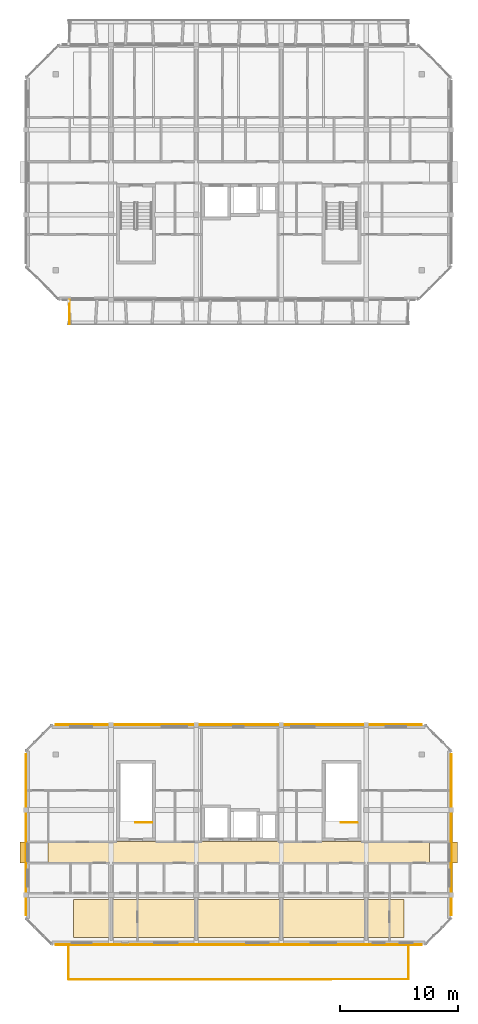
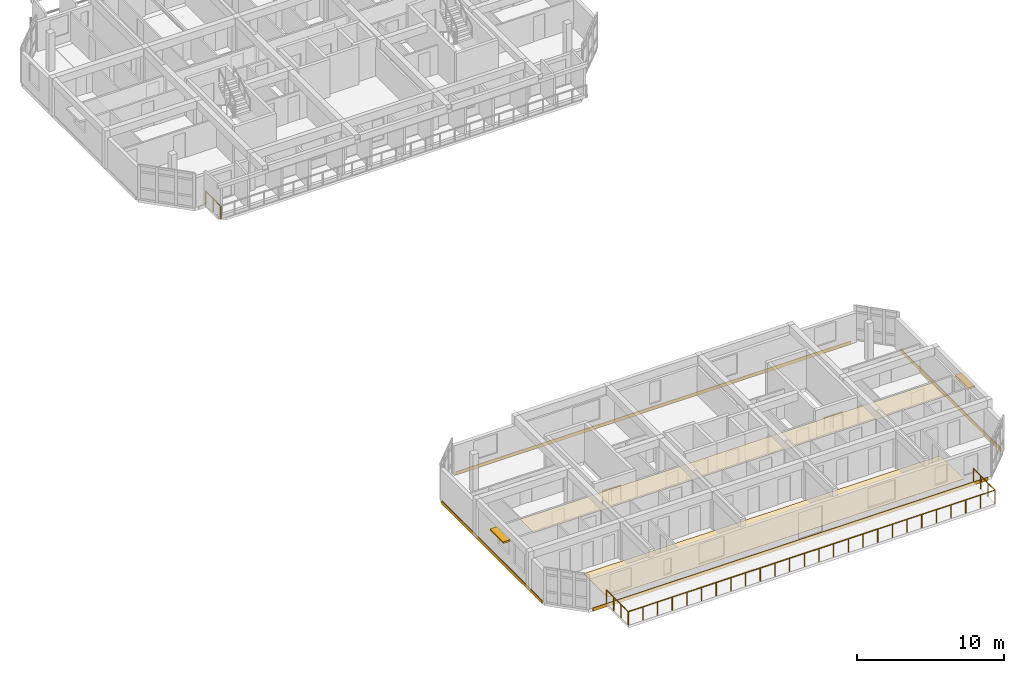
# One storey, part 15 of 19: 6 coverings, 4 railings, 2 shading devices.
"""IFC4 building model written with IfcOpenShell, lengths in metres."""

from ifc_helpers import new_model, si_unit, direction, frame, origin, origin_2d, place, context, subcontext, project, spatial, polyline, rectangle, circle, outline, extrude, material, layer, layer_set, type_object, element, save


model = new_model("IFC4")

# Units and contexts
model_context = context("Model", 3, precision=1e-05, world=origin(), true_north=direction((0.0, 1.0)))
body_context = subcontext(model_context, "Body", "Model", "MODEL_VIEW")
ifc_project = project(units=[si_unit("LENGTHUNIT", "METRE"), si_unit("AREAUNIT", "SQUARE_METRE"), si_unit("VOLUMEUNIT", "CUBIC_METRE"), si_unit("PLANEANGLEUNIT", "RADIAN"), si_unit("MASSUNIT", "GRAM", prefix="KILO")], contexts=[model_context])

# Site, building, storey
site_placement = place(None, origin())
site = spatial("IfcSite", under=ifc_project, at=site_placement, CompositionType="ELEMENT")
building_placement = place(site_placement, origin())
building = spatial("IfcBuilding", under=site, at=building_placement, Name="Ochrevale Crest", CompositionType="ELEMENT")
storey_placement = place(building_placement, frame((0.0, 0.0, 43.35009765625)))
storey = spatial("IfcBuildingStorey", under=building, at=storey_placement, Name="L13", CompositionType="ELEMENT", Elevation=43.35009765625)

# Coverings
ifc_material_1 = material(Name="Gypsum plasterboard", Category="gypsum")
ifc_layer_1 = layer(ifc_material_1, 0.02490234375)
ifc_layer_set_1 = layer_set([ifc_layer_1], Name="Gypsum plasterboard")
covering_type_1 = type_object("IfcCoveringType", Name="COV-CEIL-GYP", PredefinedType="CEILING", material=ifc_layer_set_1)
covering_1_placement = place(storey_placement, frame((0.0, 0.0, 2.27978515625)))
element("IfcCovering", 1, at=covering_1_placement, inside=storey, type_object=covering_type_1, Name="Block C L13 acoustic corridor ceiling", PredefinedType="CEILING", context=body_context, shape_type="SweptSolid", body=[
    extrude(outline(polyline([(131.449951171875, 24.260009765625), (163.75, 24.260009765625), (163.75, 26.139892578125), (131.449951171875, 26.139892578125), (131.449951171875, 24.260009765625)])), origin(), (0.0, 0.0, 1.0), 0.025146484375),
])
ifc_material_2 = material(Name="Glazed terracotta rainscreen tile", Category="masonry")
ifc_layer_2 = layer(ifc_material_2, 0.048095703125)
ifc_layer_set_2 = layer_set([ifc_layer_2], Name="Glazed terracotta rainscreen tile")
covering_type_2 = type_object("IfcCoveringType", Name="COV-CLAD-TER", PredefinedType="CLADDING", material=ifc_layer_set_2)
covering_2_placement = place(storey_placement, frame((147.60009765625, 17.385498046875, -0.26025390625), z_axis=(0.0, 0.0, 1.0), x_axis=(1.0, 0.0, 0.0)))
element("IfcCovering", 2, at=covering_2_placement, inside=storey, type_object=covering_type_2, Name="Block C L13 terracotta slab-edge spandrel cladding", PredefinedType="CLADDING", context=body_context, shape_type="SweptSolid", body=[
    extrude(rectangle(XDim=31.0, YDim=0.06005859375, at=origin_2d()), origin(), (0.0, 0.0, 1.0), 0.280029296875),
])
covering_3_placement = place(storey_placement, frame((165.614501953125, 26.699951171875, -0.26025390625), z_axis=(0.0, 0.0, 1.0), x_axis=(0.0, 1.0, 0.0)))
element("IfcCovering", 3, at=covering_3_placement, inside=storey, type_object=covering_type_2, Name="Block C L13 terracotta slab-edge spandrel cladding", PredefinedType="CLADDING", context=body_context, shape_type="SweptSolid", body=[
    extrude(rectangle(XDim=13.60009765625, YDim=0.06005859375, at=origin_2d()), origin(), (0.0, 0.0, 1.0), 0.280029296875),
])
covering_4_placement = place(storey_placement, frame((147.60009765625, 36.014404296875, -0.26025390625), z_axis=(0.0, 0.0, 1.0), x_axis=(-1.0, 0.0, 0.0)))
element("IfcCovering", 4, at=covering_4_placement, inside=storey, type_object=covering_type_2, Name="Block C L13 terracotta slab-edge spandrel cladding", PredefinedType="CLADDING", context=body_context, shape_type="SweptSolid", body=[
    extrude(rectangle(XDim=31.0, YDim=0.06005859375, at=origin_2d()), origin(), (0.0, 0.0, 1.0), 0.280029296875),
])
covering_5_placement = place(storey_placement, frame((129.58544921875, 26.699951171875, -0.26025390625), z_axis=(0.0, 0.0, 1.0), x_axis=(0.0, -1.0, 0.0)))
element("IfcCovering", 5, at=covering_5_placement, inside=storey, type_object=covering_type_2, Name="Block C L13 terracotta slab-edge spandrel cladding", PredefinedType="CLADDING", context=body_context, shape_type="SweptSolid", body=[
    extrude(rectangle(XDim=13.60009765625, YDim=0.06005859375, at=origin_2d()), origin(), (0.0, 0.0, 1.0), 0.280029296875),
])
ifc_material_3 = material(Name="Engineered spotted-gum hardwood flooring", Category="wood")
ifc_layer_3 = layer(ifc_material_3, 0.02001953125)
ifc_layer_set_3 = layer_set([ifc_layer_3], Name="Engineered spotted-gum hardwood flooring")
covering_type_3 = type_object("IfcCoveringType", Name="COV-FLR-TIM", PredefinedType="FLOORING", material=ifc_layer_set_3)
covering_6_placement = place(storey_placement, origin())
element("IfcCovering", 6, at=covering_6_placement, inside=storey, type_object=covering_type_3, Name="Block C L13 spotted-gum apartment flooring", PredefinedType="FLOORING", context=body_context, shape_type="SweptSolid", body=[
    extrude(outline(polyline([(133.60009765625, 18.0), (161.60009765625, 18.0), (161.60009765625, 21.199951171875), (133.60009765625, 21.199951171875), (133.60009765625, 18.0)])), origin(), (0.0, 0.0, 1.0), 0.02001953125),
])

# Railings
ifc_material_4 = material(Name="Galvanised steel", Category="steel")
railing_type_1 = type_object("IfcRailingType", Name="RL-BAL-1100", PredefinedType="BALUSTRADE", material=ifc_material_4)
railing_1_placement = place(storey_placement, frame((133.260009765625, 72.0, 0.0)))
element("IfcRailing", 7, at=railing_1_placement, inside=storey, type_object=railing_type_1, Name="Block D L13 S-W balcony side guard", PredefinedType="BALUSTRADE", context=body_context, shape_type="SweptSolid", body=[
    extrude(circle(Radius=0.02392578125, at=origin_2d()), frame((0.0, 0.0, 1.0859375), z_axis=(0.0, -1.0, 0.0), x_axis=(1.0, 0.0, 0.0)), (0.0, 0.0, 1.0), 2.0400390625),
    extrude(circle(Radius=0.02099609375, at=origin_2d()), origin(), (0.0, 0.0, 1.0), 1.06201171875),
    extrude(circle(Radius=0.02099609375, at=origin_2d()), frame((0.0, -1.02001953125, 0.0)), (0.0, 0.0, 1.0), 1.06201171875),
    extrude(circle(Radius=0.02099609375, at=origin_2d()), frame((0.0, -2.0400390625, 0.0)), (0.0, 0.0, 1.0), 1.06201171875),
])
railing_type_2 = type_object("IfcRailingType", Name="RL-ST-GUARD", PredefinedType="BALUSTRADE", material=ifc_material_4)
for number, where, name in (
    (8, (140.25, 27.72509765625, 0.0), "L13 ST-C1 top well guard 1"),
    (9, (157.64990234375, 27.72509765625, 0.0), "L13 ST-C2 top well guard 1"),
):
    element("IfcRailing", number, at=place(storey_placement, frame(where)), inside=storey, type_object=railing_type_2, Name=name, PredefinedType="BALUSTRADE", context=body_context, shape_type="SweptSolid", body=[
        extrude(circle(Radius=0.02392578125, at=origin_2d()), frame((0.0, 0.0, 1.076171875), z_axis=(-1.0, 0.0, 0.0), x_axis=(0.0, -1.0, 0.0)), (0.0, 0.0, 1.0), 1.39990234375),
        extrude(circle(Radius=0.02099609375, at=origin_2d()), origin(), (0.0, 0.0, 1.0), 1.052001953125),
        extrude(circle(Radius=0.02099609375, at=origin_2d()), frame((-0.699951171875, 0.0, 0.0)), (0.0, 0.0, 1.0), 1.052001953125),
        extrude(circle(Radius=0.02099609375, at=origin_2d()), frame((-1.39990234375, 0.0, 0.0)), (0.0, 0.0, 1.0), 1.052001953125),
    ])
railing_type_3 = type_object("IfcRailingType", Name="RL-TER-1120", PredefinedType="BALUSTRADE", material=ifc_material_4)
railing_2_placement = place(storey_placement, frame((133.199951171875, 17.39990234375, 0.0)))
element("IfcRailing", 10, at=railing_2_placement, inside=storey, type_object=railing_type_3, Name="Block C L13 stepped roof-terrace perimeter balustrade", PredefinedType="BALUSTRADE", context=body_context, shape_type="SweptSolid", body=[
    extrude(circle(Radius=0.02392578125, at=origin_2d()), frame((0.0, 0.0, 1.09619140625), z_axis=(0.0, -1.0, 0.0), x_axis=(1.0, 0.0, 0.0)), (0.0, 0.0, 1.0), 2.93994140625),
    extrude(circle(Radius=0.02392578125, at=origin_2d()), frame((0.0, -2.93994140625, 1.09619140625), z_axis=(1.0, 0.0, 0.0), x_axis=(0.0, 1.0, 0.0)), (0.0, 0.0, 1.0), 28.800048828125),
    extrude(circle(Radius=0.02392578125, at=origin_2d()), frame((28.800048828125, -2.93994140625, 1.09619140625), z_axis=(0.0, 1.0, 0.0), x_axis=(-1.0, 0.0, 0.0)), (0.0, 0.0, 1.0), 2.93994140625),
    extrude(circle(Radius=0.02099609375, at=origin_2d()), origin(), (0.0, 0.0, 1.0), 1.072021484375),
    extrude(circle(Radius=0.02099609375, at=origin_2d()), frame((0.0, -0.97998046875, 0.0)), (0.0, 0.0, 1.0), 1.072021484375),
    extrude(circle(Radius=0.02099609375, at=origin_2d()), frame((0.0, -1.9599609375, 0.0)), (0.0, 0.0, 1.0), 1.072021484375),
    extrude(circle(Radius=0.02099609375, at=origin_2d()), frame((0.0, -2.93994140625, 0.0)), (0.0, 0.0, 1.0), 1.072021484375),
    extrude(circle(Radius=0.02099609375, at=origin_2d()), frame((1.152099609375, -2.93994140625, 0.0)), (0.0, 0.0, 1.0), 1.072021484375),
    extrude(circle(Radius=0.02099609375, at=origin_2d()), frame((2.303955078125, -2.93994140625, 0.0)), (0.0, 0.0, 1.0), 1.072021484375),
    extrude(circle(Radius=0.02099609375, at=origin_2d()), frame((3.4560546875, -2.93994140625, 0.0)), (0.0, 0.0, 1.0), 1.072021484375),
    extrude(circle(Radius=0.02099609375, at=origin_2d()), frame((4.60791015625, -2.93994140625, 0.0)), (0.0, 0.0, 1.0), 1.072021484375),
    extrude(circle(Radius=0.02099609375, at=origin_2d()), frame((5.760009765625, -2.93994140625, 0.0)), (0.0, 0.0, 1.0), 1.072021484375),
    extrude(circle(Radius=0.02099609375, at=origin_2d()), frame((6.912109375, -2.93994140625, 0.0)), (0.0, 0.0, 1.0), 1.072021484375),
    extrude(circle(Radius=0.02099609375, at=origin_2d()), frame((8.06396484375, -2.93994140625, 0.0)), (0.0, 0.0, 1.0), 1.072021484375),
    extrude(circle(Radius=0.02099609375, at=origin_2d()), frame((9.216064453125, -2.93994140625, 0.0)), (0.0, 0.0, 1.0), 1.072021484375),
    extrude(circle(Radius=0.02099609375, at=origin_2d()), frame((10.367919921875, -2.93994140625, 0.0)), (0.0, 0.0, 1.0), 1.072021484375),
    extrude(circle(Radius=0.02099609375, at=origin_2d()), frame((11.52001953125, -2.93994140625, 0.0)), (0.0, 0.0, 1.0), 1.072021484375),
    extrude(circle(Radius=0.02099609375, at=origin_2d()), frame((12.672119140625, -2.93994140625, 0.0)), (0.0, 0.0, 1.0), 1.072021484375),
    extrude(circle(Radius=0.02099609375, at=origin_2d()), frame((13.823974609375, -2.93994140625, 0.0)), (0.0, 0.0, 1.0), 1.072021484375),
    extrude(circle(Radius=0.02099609375, at=origin_2d()), frame((14.97607421875, -2.93994140625, 0.0)), (0.0, 0.0, 1.0), 1.072021484375),
    extrude(circle(Radius=0.02099609375, at=origin_2d()), frame((16.1279296875, -2.93994140625, 0.0)), (0.0, 0.0, 1.0), 1.072021484375),
    extrude(circle(Radius=0.02099609375, at=origin_2d()), frame((17.280029296875, -2.93994140625, 0.0)), (0.0, 0.0, 1.0), 1.072021484375),
    extrude(circle(Radius=0.02099609375, at=origin_2d()), frame((18.43212890625, -2.93994140625, 0.0)), (0.0, 0.0, 1.0), 1.072021484375),
    extrude(circle(Radius=0.02099609375, at=origin_2d()), frame((19.583984375, -2.93994140625, 0.0)), (0.0, 0.0, 1.0), 1.072021484375),
    extrude(circle(Radius=0.02099609375, at=origin_2d()), frame((20.736083984375, -2.93994140625, 0.0)), (0.0, 0.0, 1.0), 1.072021484375),
    extrude(circle(Radius=0.02099609375, at=origin_2d()), frame((21.887939453125, -2.93994140625, 0.0)), (0.0, 0.0, 1.0), 1.072021484375),
    extrude(circle(Radius=0.02099609375, at=origin_2d()), frame((23.0400390625, -2.93994140625, 0.0)), (0.0, 0.0, 1.0), 1.072021484375),
    extrude(circle(Radius=0.02099609375, at=origin_2d()), frame((24.192138671875, -2.93994140625, 0.0)), (0.0, 0.0, 1.0), 1.072021484375),
    extrude(circle(Radius=0.02099609375, at=origin_2d()), frame((25.343994140625, -2.93994140625, 0.0)), (0.0, 0.0, 1.0), 1.072021484375),
    extrude(circle(Radius=0.02099609375, at=origin_2d()), frame((26.49609375, -2.93994140625, 0.0)), (0.0, 0.0, 1.0), 1.072021484375),
    extrude(circle(Radius=0.02099609375, at=origin_2d()), frame((27.64794921875, -2.93994140625, 0.0)), (0.0, 0.0, 1.0), 1.072021484375),
    extrude(circle(Radius=0.02099609375, at=origin_2d()), frame((28.800048828125, -2.93994140625, 0.0)), (0.0, 0.0, 1.0), 1.072021484375),
    extrude(circle(Radius=0.02099609375, at=origin_2d()), frame((28.800048828125, -1.9599609375, 0.0)), (0.0, 0.0, 1.0), 1.072021484375),
    extrude(circle(Radius=0.02099609375, at=origin_2d()), frame((28.800048828125, -0.97998046875, 0.0)), (0.0, 0.0, 1.0), 1.072021484375),
    extrude(circle(Radius=0.02099609375, at=origin_2d()), frame((28.800048828125, 0.0, 0.0)), (0.0, 0.0, 1.0), 1.072021484375),
])

# Shading devices
ifc_material_5 = material(Name="Anodised aluminium 6063-T5", Category="aluminium")
shading_device_type = type_object("IfcShadingDeviceType", Name="SHD-SUNSHADE-OC", PredefinedType="USERDEFINED", material=ifc_material_5)
for number, where, z_axis, x_axis, name in (
    (11, (129.360107421875, 25.199951171875, 2.2099609375), (0.0, 0.0, 1.0), (1.0, 0.0, 0.0), "Block C L13 gable window sunshade W"),
    (12, (165.840087890625, 25.199951171875, 2.2099609375), (0.0, 0.0, 1.0), (1.0, 0.0, 0.0), "Block C L13 gable window sunshade E"),
):
    element("IfcShadingDevice", number, at=place(storey_placement, frame(where, z_axis=z_axis, x_axis=x_axis)), inside=storey, type_object=shading_device_type, Name=name, ObjectType="HORIZONTAL SUNSHADE", PredefinedType="USERDEFINED", context=body_context, shape_type="SweptSolid", body=[
        extrude(rectangle(XDim=0.550048828125, YDim=1.800048828125, at=origin_2d()), origin(), (0.0, 0.0, 1.0), 0.139892578125),
    ])

save(model, "model.ifc")
